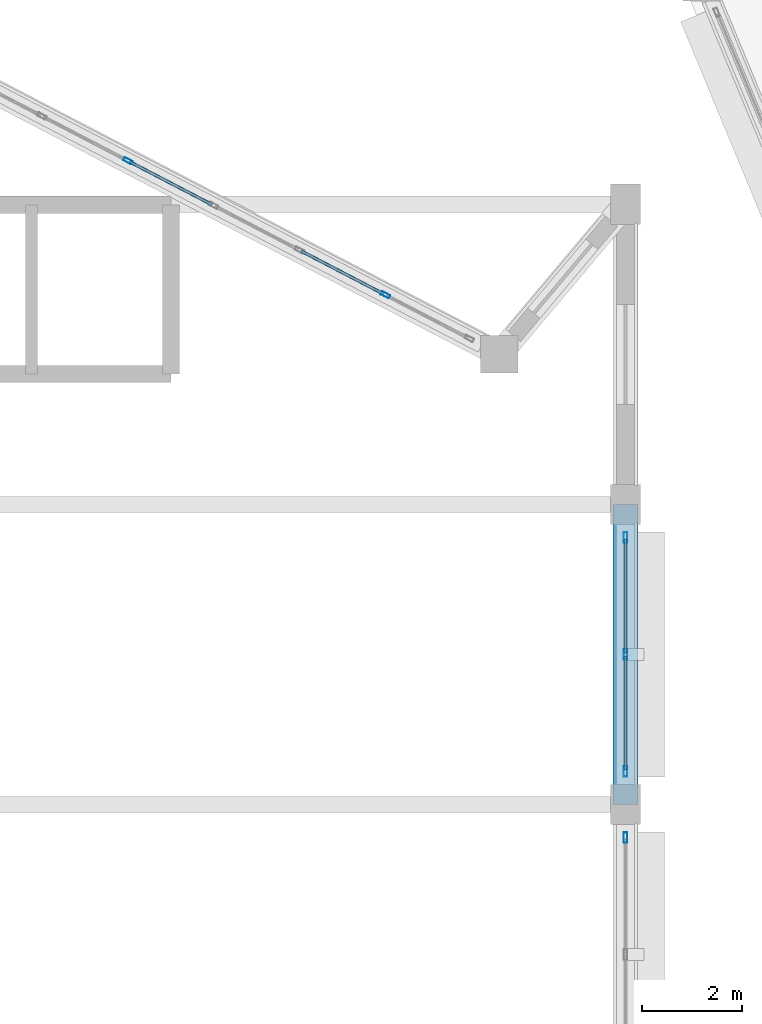
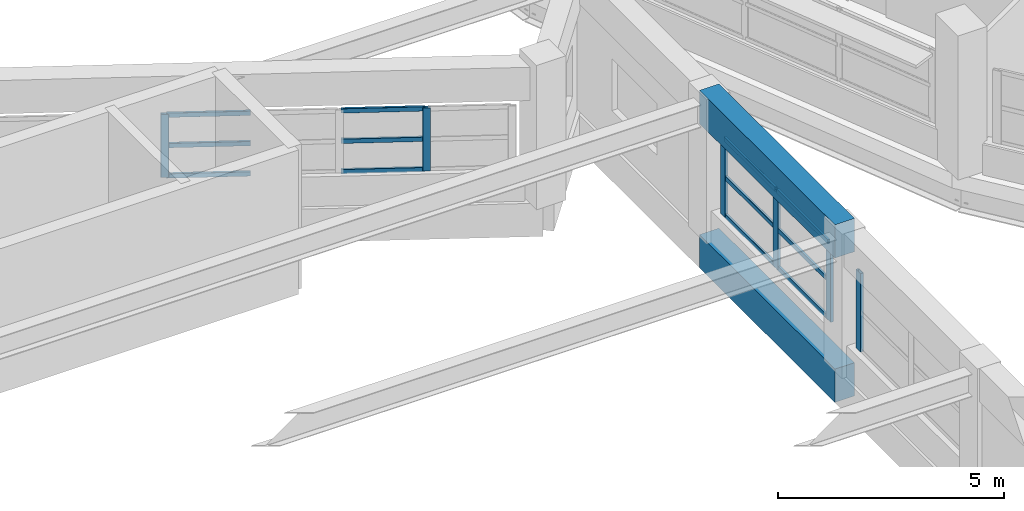
# One storey, part 25 of 108: 18 members, 2 beams, 3 elements without a shape of their own.
"""IFC4 building model written with IfcOpenShell, lengths in metres."""

from ifc_helpers import new_model, si_unit, direction, frame, origin, origin_2d, place, context, subcontext, project, spatial, rectangle, hollow_rectangle, extrude, material, layer, layer_set, material_profile, profile_set, type_object, element, aggregate, save


model = new_model("IFC4")

# Units and contexts
model_context = context("Model", 3, precision=1e-05, world=origin(), true_north=direction((0.0, 1.0)))
body_context = subcontext(model_context, "Body", "Model", "MODEL_VIEW")
ifc_project = project(units=[si_unit("LENGTHUNIT", "METRE"), si_unit("AREAUNIT", "SQUARE_METRE"), si_unit("VOLUMEUNIT", "CUBIC_METRE"), si_unit("PLANEANGLEUNIT", "RADIAN"), si_unit("MASSUNIT", "GRAM", prefix="KILO")], contexts=[model_context])

# Site, building, storey
site_placement = place(None, origin())
site = spatial("IfcSite", under=ifc_project, at=site_placement, CompositionType="ELEMENT")
building_placement = place(site_placement, origin())
building = spatial("IfcBuilding", under=site, at=building_placement, Name="Vespera Passage Community Centre", CompositionType="ELEMENT")
storey_placement = place(building_placement, frame((0.0, 0.0, 12.60009765625)))
storey = spatial("IfcBuildingStorey", under=building, at=storey_placement, Name="L03", CompositionType="ELEMENT", Elevation=12.60009765625)

# Beams
ifc_material_1 = material(Name="Concrete f'c 45 MPa", Category="concrete")
ifc_material_profile_1 = material_profile(ifc_material_1, rectangle(XDim=0.5, YDim=0.89990234375, at=origin_2d()), Name="RC500X900")
ifc_profile_set_1 = profile_set([ifc_material_profile_1], Name="Concrete f'c 45 MPa")
beam_type = type_object("IfcBeamType", Name="BM-SP-500X900E", PredefinedType="SPANDREL", material=ifc_profile_set_1)
for number, where, z_axis, x_axis, name in (
    (1, (31.949951171875, 37.0, 3.449951171875), (0.0, 1.0, 0.0), (-1.0, 0.0, 0.0), "Main Hall Eave Ring Girder E6"),
    (2, (31.949951171875, 37.0, -0.4501953125), (0.0, 1.0, 0.0), (-1.0, 0.0, 0.0), "V1 L03 Spandrel E6"),
):
    element("IfcBeam", number, at=place(storey_placement, frame(where, z_axis=z_axis, x_axis=x_axis)), inside=storey, type_object=beam_type, Name=name, PredefinedType="SPANDREL", context=body_context, shape_type="SweptSolid", body=[
        extrude(rectangle(XDim=0.5, YDim=0.89990234375, at=origin_2d()), origin(), (0.0, 0.0, 1.0), 6.0),
    ])

# Curtain wall, members
ifc_material_2 = material(Name="Anodized aluminium 6063-T6", Category="aluminium")
ifc_layer_1 = layer(ifc_material_2, 0.159912109375)
ifc_layer_set_1 = layer_set([ifc_layer_1], Name="Anodized aluminium 6063-T6")
curtain_wall_type_1 = type_object("IfcCurtainWallType", Name="CW-88E", PredefinedType="NOTDEFINED", material=ifc_layer_set_1)
curtain_wall_1_placement = place(storey_placement, origin())
curtain_wall_1 = element("IfcCurtainWall", 3, at=curtain_wall_1_placement, inside=storey, type_object=curtain_wall_type_1, Name="V1 L03 N Apse Ribbon Curtain Wall 3", PredefinedType="NOTDEFINED")
ifc_material_3 = material(Name="Anodized aluminium 6063-T6", Category="aluminium")
ifc_material_profile_2 = material_profile(ifc_material_3, hollow_rectangle(XDim=0.074951171875, YDim=0.179931640625, WallThickness=0.0048828125, InnerFilletRadius=0.00244140625, OuterFilletRadius=0.0048828125, at=origin_2d()), Name="ALU180X75X5")
ifc_profile_set_2 = profile_set([ifc_material_profile_2], Name="Anodized aluminium 6063-T6")
member_type_1 = type_object("IfcMemberType", Name="MB-CWM-180E", PredefinedType="MULLION", material=ifc_profile_set_2)
member_1_placement = place(storey_placement, frame((21.99755859375, 49.868896484375, 0.7998046875), z_axis=(0.0, 0.0, 1.0), x_axis=(0.46174493668, 0.887012747062, 0.0)))
member_1 = element("IfcMember", 4, at=member_1_placement, type_object=member_type_1, Name="CW-88E mullion 3", PredefinedType="MULLION", context=body_context, shape_type="SweptSolid", body=[
    extrude(hollow_rectangle(XDim=0.074951171875, YDim=0.179931640625, WallThickness=0.0048828125, InnerFilletRadius=0.00244140625, OuterFilletRadius=0.0048828125, at=origin_2d()), origin(), (0.0, 0.0, 1.0), 1.7001953125),
])
member_2_placement = place(storey_placement, frame((27.1455078125, 47.189208984375, 0.7998046875), z_axis=(0.0, 0.0, 1.0), x_axis=(0.46174493668, 0.887012747062, 0.0)))
member_2 = element("IfcMember", 5, at=member_2_placement, type_object=member_type_1, Name="CW-88E mullion 6", PredefinedType="MULLION", context=body_context, shape_type="SweptSolid", body=[
    extrude(hollow_rectangle(XDim=0.074951171875, YDim=0.179931640625, WallThickness=0.0048828125, InnerFilletRadius=0.00244140625, OuterFilletRadius=0.0048828125, at=origin_2d()), origin(), (0.0, 0.0, 1.0), 1.7001953125),
])

# Curtain wall, member
ifc_material_4 = material(Name="Anodized aluminium 6063-T6", Category="aluminium")
ifc_layer_2 = layer(ifc_material_4, 0.159912109375)
ifc_layer_set_2 = layer_set([ifc_layer_2], Name="Anodized aluminium 6063-T6")
curtain_wall_type_2 = type_object("IfcCurtainWallType", Name="CW-86E", PredefinedType="NOTDEFINED", material=ifc_layer_set_2)
curtain_wall_2_placement = place(storey_placement, origin())
curtain_wall_2 = element("IfcCurtainWall", 6, at=curtain_wall_2_placement, inside=storey, type_object=curtain_wall_type_2, Name="Main Hall Acoustic Curtain Wall L03 E5", PredefinedType="NOTDEFINED")
ifc_material_5 = material(Name="Anodized aluminium 6063-T6", Category="aluminium")
ifc_material_profile_3 = material_profile(ifc_material_5, hollow_rectangle(XDim=0.074951171875, YDim=0.2099609375, WallThickness=0.0048828125, InnerFilletRadius=0.00244140625, OuterFilletRadius=0.0048828125, at=origin_2d()), Name="ALU210X75X5")
ifc_profile_set_3 = profile_set([ifc_material_profile_3], Name="Anodized aluminium 6063-T6")
member_type_2 = type_object("IfcMemberType", Name="MB-CWM-210E", PredefinedType="MULLION", material=ifc_profile_set_3)
member_3_placement = place(storey_placement, frame((31.949951171875, 36.33740234375, 0.849853515625), z_axis=(0.0, 0.0, 1.0), x_axis=(1.0, 0.0, 0.0)))
member_3 = element("IfcMember", 7, at=member_3_placement, type_object=member_type_2, Name="CW-86E mullion 1", PredefinedType="MULLION", context=body_context, shape_type="SweptSolid", body=[
    extrude(hollow_rectangle(XDim=0.074951171875, YDim=0.2099609375, WallThickness=0.0048828125, InnerFilletRadius=0.00244140625, OuterFilletRadius=0.0048828125, at=origin_2d()), origin(), (0.0, 0.0, 1.0), 2.114990234375),
])
aggregate(curtain_wall_2, [member_3])

# Curtain wall, members
curtain_wall_3_placement = place(storey_placement, origin())
curtain_wall_3 = element("IfcCurtainWall", 8, at=curtain_wall_3_placement, inside=storey, type_object=curtain_wall_type_2, Name="Main Hall Acoustic Curtain Wall L03 E6", PredefinedType="NOTDEFINED")
member_4_placement = place(storey_placement, frame((31.949951171875, 42.33740234375, 0.849853515625), z_axis=(0.0, 0.0, 1.0), x_axis=(1.0, 0.0, 0.0)))
member_4 = element("IfcMember", 9, at=member_4_placement, type_object=member_type_2, Name="CW-86E mullion 1", PredefinedType="MULLION", context=body_context, shape_type="SweptSolid", body=[
    extrude(hollow_rectangle(XDim=0.074951171875, YDim=0.2099609375, WallThickness=0.0048828125, InnerFilletRadius=0.00244140625, OuterFilletRadius=0.0048828125, at=origin_2d()), origin(), (0.0, 0.0, 1.0), 2.114990234375),
])
member_5_placement = place(storey_placement, frame((31.949951171875, 40.0, 0.849853515625), z_axis=(0.0, 0.0, 1.0), x_axis=(1.0, 0.0, 0.0)))
member_5 = element("IfcMember", 10, at=member_5_placement, type_object=member_type_2, Name="CW-86E mullion 2", PredefinedType="MULLION", context=body_context, shape_type="SweptSolid", body=[
    extrude(hollow_rectangle(XDim=0.074951171875, YDim=0.2099609375, WallThickness=0.0048828125, InnerFilletRadius=0.00244140625, OuterFilletRadius=0.0048828125, at=origin_2d()), origin(), (0.0, 0.0, 1.0), 2.114990234375),
])
member_6_placement = place(storey_placement, frame((31.949951171875, 37.66259765625, 0.849853515625), z_axis=(0.0, 0.0, 1.0), x_axis=(1.0, 0.0, 0.0)))
member_6 = element("IfcMember", 11, at=member_6_placement, type_object=member_type_2, Name="CW-86E mullion 3", PredefinedType="MULLION", context=body_context, shape_type="SweptSolid", body=[
    extrude(hollow_rectangle(XDim=0.074951171875, YDim=0.2099609375, WallThickness=0.0048828125, InnerFilletRadius=0.00244140625, OuterFilletRadius=0.0048828125, at=origin_2d()), origin(), (0.0, 0.0, 1.0), 2.114990234375),
])
ifc_material_6 = material(Name="Anodized aluminium 6063-T6", Category="aluminium")
ifc_material_profile_4 = material_profile(ifc_material_6, hollow_rectangle(XDim=0.06005859375, YDim=0.1201171875, WallThickness=0.00390625, InnerFilletRadius=0.001953125, OuterFilletRadius=0.00390625, at=origin_2d()), Name="ALU120X60X4")
ifc_profile_set_4 = profile_set([ifc_material_profile_4], Name="Anodized aluminium 6063-T6")
member_type_3 = type_object("IfcMemberType", Name="MB-CWT-120E", PredefinedType="USERDEFINED", material=ifc_profile_set_4)
member_7_placement = place(storey_placement, frame((31.949951171875, 42.300048828125, 0.8798828125), z_axis=(0.0, -1.0, 0.0), x_axis=(1.0, 0.0, 0.0)))
member_7 = element("IfcMember", 12, at=member_7_placement, type_object=member_type_3, Name="CW-86E transom 1.1", ObjectType="TRANSOM", PredefinedType="USERDEFINED", context=body_context, shape_type="SweptSolid", body=[
    extrude(hollow_rectangle(XDim=0.06005859375, YDim=0.1201171875, WallThickness=0.00390625, InnerFilletRadius=0.001953125, OuterFilletRadius=0.00390625, at=origin_2d()), origin(), (0.0, 0.0, 1.0), 2.262451171875),
])
member_8_placement = place(storey_placement, frame((31.949951171875, 42.300048828125, 1.907470703125), z_axis=(0.0, -1.0, 0.0), x_axis=(1.0, 0.0, 0.0)))
member_8 = element("IfcMember", 13, at=member_8_placement, type_object=member_type_3, Name="CW-86E transom 1.2", ObjectType="TRANSOM", PredefinedType="USERDEFINED", context=body_context, shape_type="SweptSolid", body=[
    extrude(hollow_rectangle(XDim=0.06005859375, YDim=0.1201171875, WallThickness=0.00390625, InnerFilletRadius=0.001953125, OuterFilletRadius=0.00390625, at=origin_2d()), origin(), (0.0, 0.0, 1.0), 2.262451171875),
])
member_9_placement = place(storey_placement, frame((31.949951171875, 42.300048828125, 2.934814453125), z_axis=(0.0, -1.0, 0.0), x_axis=(1.0, 0.0, 0.0)))
member_9 = element("IfcMember", 14, at=member_9_placement, type_object=member_type_3, Name="CW-86E transom 1.3", ObjectType="TRANSOM", PredefinedType="USERDEFINED", context=body_context, shape_type="SweptSolid", body=[
    extrude(hollow_rectangle(XDim=0.06005859375, YDim=0.1201171875, WallThickness=0.00390625, InnerFilletRadius=0.001953125, OuterFilletRadius=0.00390625, at=origin_2d()), origin(), (0.0, 0.0, 1.0), 2.262451171875),
])
member_10_placement = place(storey_placement, frame((31.949951171875, 39.96240234375, 0.8798828125), z_axis=(0.0, -1.0, 0.0), x_axis=(1.0, 0.0, 0.0)))
member_10 = element("IfcMember", 15, at=member_10_placement, type_object=member_type_3, Name="CW-86E transom 2.1", ObjectType="TRANSOM", PredefinedType="USERDEFINED", context=body_context, shape_type="SweptSolid", body=[
    extrude(hollow_rectangle(XDim=0.06005859375, YDim=0.1201171875, WallThickness=0.00390625, InnerFilletRadius=0.001953125, OuterFilletRadius=0.00390625, at=origin_2d()), origin(), (0.0, 0.0, 1.0), 2.262451171875),
])
member_11_placement = place(storey_placement, frame((31.949951171875, 39.96240234375, 1.907470703125), z_axis=(0.0, -1.0, 0.0), x_axis=(1.0, 0.0, 0.0)))
member_11 = element("IfcMember", 16, at=member_11_placement, type_object=member_type_3, Name="CW-86E transom 2.2", ObjectType="TRANSOM", PredefinedType="USERDEFINED", context=body_context, shape_type="SweptSolid", body=[
    extrude(hollow_rectangle(XDim=0.06005859375, YDim=0.1201171875, WallThickness=0.00390625, InnerFilletRadius=0.001953125, OuterFilletRadius=0.00390625, at=origin_2d()), origin(), (0.0, 0.0, 1.0), 2.262451171875),
])
member_12_placement = place(storey_placement, frame((31.949951171875, 39.96240234375, 2.934814453125), z_axis=(0.0, -1.0, 0.0), x_axis=(1.0, 0.0, 0.0)))
member_12 = element("IfcMember", 17, at=member_12_placement, type_object=member_type_3, Name="CW-86E transom 2.3", ObjectType="TRANSOM", PredefinedType="USERDEFINED", context=body_context, shape_type="SweptSolid", body=[
    extrude(hollow_rectangle(XDim=0.06005859375, YDim=0.1201171875, WallThickness=0.00390625, InnerFilletRadius=0.001953125, OuterFilletRadius=0.00390625, at=origin_2d()), origin(), (0.0, 0.0, 1.0), 2.262451171875),
])
aggregate(curtain_wall_3, [member_4, member_5, member_6, member_7, member_8, member_9, member_10, member_11, member_12])

# Member
member_13_placement = place(storey_placement, frame((22.031005859375, 49.8515625, 0.829833984375), z_axis=(0.887008197889, -0.461753675544, 0.0), x_axis=(0.461753675544, 0.887008197889, 0.0)))
member_13 = element("IfcMember", 18, at=member_13_placement, type_object=member_type_3, Name="CW-88E transom 3.1", ObjectType="TRANSOM", PredefinedType="USERDEFINED", context=body_context, shape_type="SweptSolid", body=[
    extrude(hollow_rectangle(XDim=0.06005859375, YDim=0.1201171875, WallThickness=0.00390625, InnerFilletRadius=0.001953125, OuterFilletRadius=0.00390625, at=origin_2d()), origin(), (0.0, 0.0, 1.0), 1.859619140625),
])

member_14_placement = place(storey_placement, frame((22.031005859375, 49.8515625, 1.64990234375), z_axis=(0.887008197889, -0.461753675544, 0.0), x_axis=(0.461753675544, 0.887008197889, 0.0)))
member_14 = element("IfcMember", 19, at=member_14_placement, type_object=member_type_3, Name="CW-88E transom 3.2", ObjectType="TRANSOM", PredefinedType="USERDEFINED", context=body_context, shape_type="SweptSolid", body=[
    extrude(hollow_rectangle(XDim=0.06005859375, YDim=0.1201171875, WallThickness=0.00390625, InnerFilletRadius=0.001953125, OuterFilletRadius=0.00390625, at=origin_2d()), origin(), (0.0, 0.0, 1.0), 1.859619140625),
])

member_15_placement = place(storey_placement, frame((22.031005859375, 49.8515625, 2.469970703125), z_axis=(0.887008197889, -0.461753675544, 0.0), x_axis=(0.461753675544, 0.887008197889, 0.0)))
member_15 = element("IfcMember", 20, at=member_15_placement, type_object=member_type_3, Name="CW-88E transom 3.3", ObjectType="TRANSOM", PredefinedType="USERDEFINED", context=body_context, shape_type="SweptSolid", body=[
    extrude(hollow_rectangle(XDim=0.06005859375, YDim=0.1201171875, WallThickness=0.00390625, InnerFilletRadius=0.001953125, OuterFilletRadius=0.00390625, at=origin_2d()), origin(), (0.0, 0.0, 1.0), 1.859619140625),
])

member_16_placement = place(storey_placement, frame((25.462890625, 48.065185546875, 0.829833984375), z_axis=(0.887008197889, -0.461753675544, 0.0), x_axis=(0.461753675544, 0.887008197889, 0.0)))
member_16 = element("IfcMember", 21, at=member_16_placement, type_object=member_type_3, Name="CW-88E transom 5.1", ObjectType="TRANSOM", PredefinedType="USERDEFINED", context=body_context, shape_type="SweptSolid", body=[
    extrude(hollow_rectangle(XDim=0.06005859375, YDim=0.1201171875, WallThickness=0.00390625, InnerFilletRadius=0.001953125, OuterFilletRadius=0.00390625, at=origin_2d()), origin(), (0.0, 0.0, 1.0), 1.859619140625),
])

member_17_placement = place(storey_placement, frame((25.462890625, 48.065185546875, 1.64990234375), z_axis=(0.887008197889, -0.461753675544, 0.0), x_axis=(0.461753675544, 0.887008197889, 0.0)))
member_17 = element("IfcMember", 22, at=member_17_placement, type_object=member_type_3, Name="CW-88E transom 5.2", ObjectType="TRANSOM", PredefinedType="USERDEFINED", context=body_context, shape_type="SweptSolid", body=[
    extrude(hollow_rectangle(XDim=0.06005859375, YDim=0.1201171875, WallThickness=0.00390625, InnerFilletRadius=0.001953125, OuterFilletRadius=0.00390625, at=origin_2d()), origin(), (0.0, 0.0, 1.0), 1.859619140625),
])

member_18_placement = place(storey_placement, frame((25.462890625, 48.065185546875, 2.469970703125), z_axis=(0.887008197889, -0.461753675544, 0.0), x_axis=(0.461753675544, 0.887008197889, 0.0)))
member_18 = element("IfcMember", 23, at=member_18_placement, type_object=member_type_3, Name="CW-88E transom 5.3", ObjectType="TRANSOM", PredefinedType="USERDEFINED", context=body_context, shape_type="SweptSolid", body=[
    extrude(hollow_rectangle(XDim=0.06005859375, YDim=0.1201171875, WallThickness=0.00390625, InnerFilletRadius=0.001953125, OuterFilletRadius=0.00390625, at=origin_2d()), origin(), (0.0, 0.0, 1.0), 1.859619140625),
])

aggregate(curtain_wall_1, [member_1, member_2, member_13, member_14, member_15, member_16, member_17, member_18])

save(model, "model.ifc")
